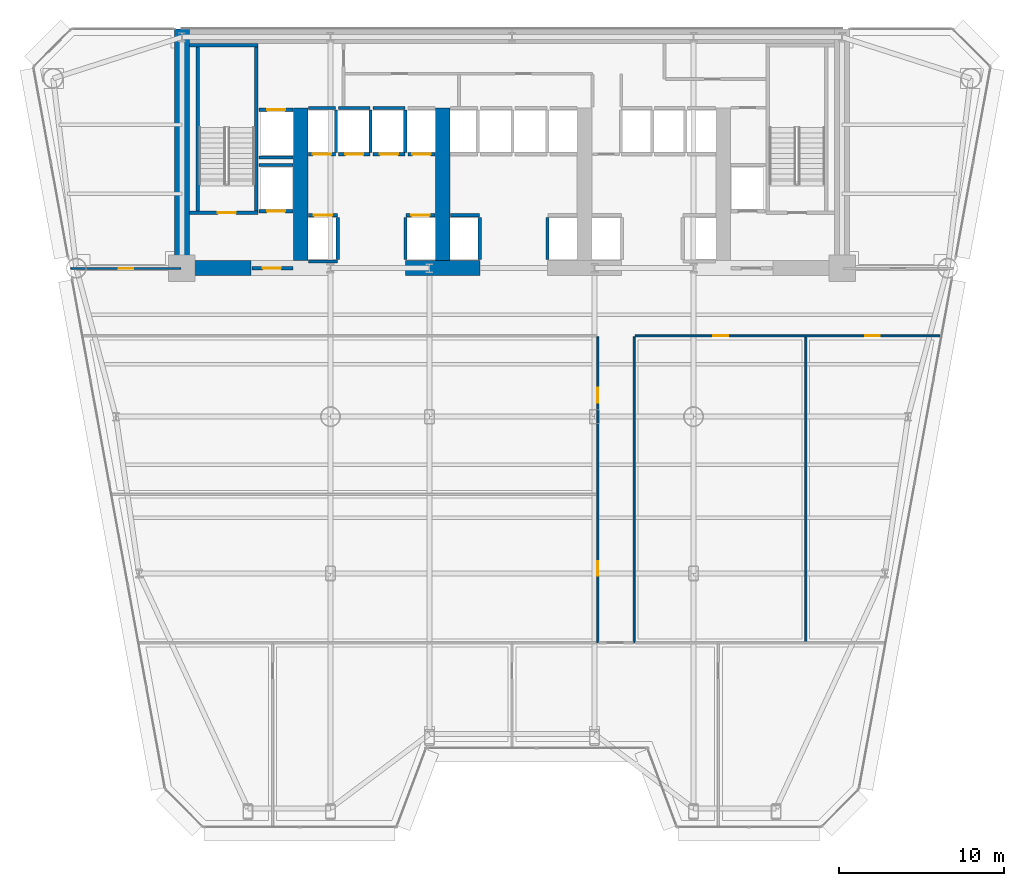
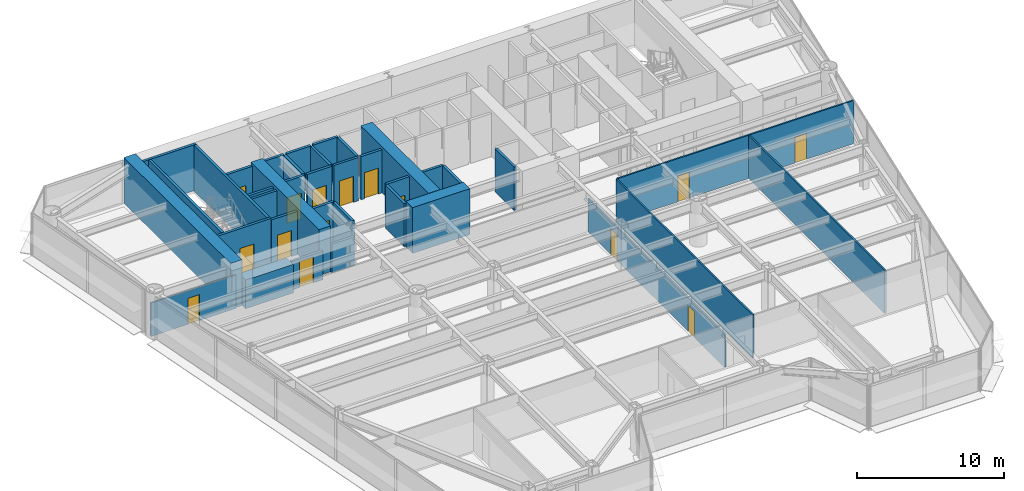
# One storey, part 8 of 14: 37 walls, 15 doors, 15 openings.
"""IFC4 building model written with IfcOpenShell, lengths in metres."""

import ifcopenshell
import ifcopenshell.guid

model = None  # the IFC model being written
_history = None  # IfcOwnerHistory: only IFC2X3 demands one
_inside = {}  # id of a spatial element -> (the spatial element, [elements in it])
_under = {}  # id of a project, library or spatial element -> (it, [spatial elements below it])
_declared = {}  # id of a project -> (the project, [libraries it declares])
_typed = {}  # id of a type object -> (the type object, [elements of that type])
_made_of = {}  # id of a material, layer set ... -> (it, [elements and type objects made of it])


def new_model(schema):
    """Start an empty IFC model of exactly this schema.

    Asked for "IFC4X3", IfcOpenShell would pick the latest addendum, in which some entities
    have other attributes; the version numbers below select the first issue.
    IFC2X3 requires an IfcOwnerHistory on every rooted entity: one is made here for all.
    """
    global model, _history
    if schema == "IFC4X3":
        model = ifcopenshell.file(schema_version=(4, 3, 0, 0))
    else:
        model = ifcopenshell.file(schema=schema)
    _inside.clear()
    _under.clear()
    _declared.clear()
    _typed.clear()
    _made_of.clear()
    _history = None
    if model.schema == "IFC2X3":
        org = make("IfcOrganization", Name="unknown")
        user = make(
            "IfcPersonAndOrganization",
            ThePerson=make("IfcPerson", FamilyName="unknown"),
            TheOrganization=org,
        )
        app = make(
            "IfcApplication",
            ApplicationDeveloper=org,
            Version="unknown",
            ApplicationFullName="unknown",
            ApplicationIdentifier="unknown",
        )
        _history = make(
            "IfcOwnerHistory",
            OwningUser=user,
            OwningApplication=app,
            ChangeAction="ADDED",
            CreationDate=0,
        )
    return model


def make(cls, **values):
    """One entity of the class cls with the attributes given. An attribute that is None is left unset."""
    return model.create_entity(
        cls, **{name: value for name, value in values.items() if value is not None}
    )


def rooted(cls, **values):
    """An entity with a GlobalId (a new one), such as an element, a storey or a relation."""
    return make(cls, GlobalId=ifcopenshell.guid.new(), OwnerHistory=_history, **values)


def si_unit(unit_type, name, prefix=None):
    """IfcSIUnit, for example si_unit("LENGTHUNIT", "METRE", prefix="MILLI")."""
    return make("IfcSIUnit", UnitType=unit_type, Prefix=prefix, Name=name)


def assignment(units):
    """IfcUnitAssignment: the units of a project."""
    return None if units is None else make("IfcUnitAssignment", Units=units)


def point(xyz):
    """IfcCartesianPoint."""
    return None if xyz is None else make("IfcCartesianPoint", Coordinates=xyz)


def direction(xyz):
    """IfcDirection."""
    return None if xyz is None else make("IfcDirection", DirectionRatios=xyz)


def frame(location, z_axis=None, x_axis=None):
    """IfcAxis2Placement3D, a coordinate frame: its origin and axes. An axis left out is left unset."""
    return make(
        "IfcAxis2Placement3D",
        Location=point(location),
        Axis=direction(z_axis),
        RefDirection=direction(x_axis),
    )


def frame_2d(location, x_axis=None):
    """IfcAxis2Placement2D, a coordinate frame in the plane: its origin and x axis."""
    return make(
        "IfcAxis2Placement2D", Location=point(location), RefDirection=direction(x_axis)
    )


def origin():
    """The frame at (0, 0, 0) with its axes left unset."""
    return frame((0.0, 0.0, 0.0))


def place(relative_to, where):
    """IfcLocalPlacement: puts the frame where relative to a parent placement (None: the world)."""
    return make(
        "IfcLocalPlacement", PlacementRelTo=relative_to, RelativePlacement=where
    )


def context(
    kind, dimensions, precision=None, world=None, true_north=None, identifier=None
):
    """IfcGeometricRepresentationContext, for example the 3D "Model" context."""
    return make(
        "IfcGeometricRepresentationContext",
        ContextIdentifier=identifier,
        ContextType=kind,
        CoordinateSpaceDimension=dimensions,
        Precision=precision,
        WorldCoordinateSystem=world,
        TrueNorth=true_north,
    )


def subcontext(parent, identifier, kind, view, scale=None):
    """IfcGeometricRepresentationSubContext, for example "Body" below "Model"."""
    return make(
        "IfcGeometricRepresentationSubContext",
        ContextIdentifier=identifier,
        ContextType=kind,
        ParentContext=parent,
        TargetScale=scale,
        TargetView=view,
    )


def project(units=None, contexts=None):
    """IfcProject with its units and contexts."""
    return rooted(
        "IfcProject",
        Name="project",
        RepresentationContexts=contexts,
        UnitsInContext=assignment(units),
    )


def spatial(cls, under=None, at=None, **own):
    """A site, building, storey or space (cls), placed at a placement, below another one or the project."""
    s = rooted(cls, ObjectPlacement=at, **own)
    if under is not None:
        _under.setdefault(under.id(), (under, []))[1].append(s)
    return s


def profile(cls, at=None, kind="AREA", **sizes):
    """A parametric profile (cls). Its sizes go by their IFC names, for example OverallWidth=200.0."""
    return make(cls, ProfileType=kind, Position=at, **sizes)


def rectangle(**sizes):
    """IfcRectangleProfileDef."""
    return profile("IfcRectangleProfileDef", **sizes)


def extrude(swept, where, along, depth):
    """IfcExtrudedAreaSolid: the profile swept, set in the frame where, extruded along a direction by depth."""
    return make(
        "IfcExtrudedAreaSolid",
        SweptArea=swept,
        Position=where,
        ExtrudedDirection=direction(along),
        Depth=depth,
    )


def shape(context_of_items, identifier, shape_type, items):
    """IfcShapeRepresentation: the items that make up one representation, for example the "Body"."""
    return make(
        "IfcShapeRepresentation",
        ContextOfItems=context_of_items,
        RepresentationIdentifier=identifier,
        RepresentationType=shape_type,
        Items=items,
    )


def source(mapping_origin, context_of_items, identifier, shape_type, items):
    """IfcRepresentationMap: a shape defined once, which mapped items show again and again."""
    return make(
        "IfcRepresentationMap",
        MappingOrigin=mapping_origin,
        MappedRepresentation=shape(context_of_items, identifier, shape_type, items),
    )


def transform(
    local_origin,
    x_axis=None,
    y_axis=None,
    z_axis=None,
    scale=None,
    scale2=None,
    scale3=None,
    uniform=True,
):
    """IfcCartesianTransformationOperator3D, or its non-uniform kind. x_axis, y_axis, z_axis: its Axis1, 2, 3."""
    if uniform:
        return make(
            "IfcCartesianTransformationOperator3D",
            Axis1=direction(x_axis),
            Axis2=direction(y_axis),
            LocalOrigin=point(local_origin),
            Scale=scale,
            Axis3=direction(z_axis),
        )
    return make(
        "IfcCartesianTransformationOperator3DnonUniform",
        Axis1=direction(x_axis),
        Axis2=direction(y_axis),
        LocalOrigin=point(local_origin),
        Scale=scale,
        Axis3=direction(z_axis),
        Scale2=scale2,
        Scale3=scale3,
    )


def mapped(mapping_source, mapping_target):
    """IfcMappedItem: shows the shape of a source again, moved by a transform."""
    return make(
        "IfcMappedItem", MappingSource=mapping_source, MappingTarget=mapping_target
    )


def material(Name=None, Category=None):
    """IfcMaterial."""
    return make("IfcMaterial", Name=Name, Category=Category)


def layer(
    of_material, thickness, ventilated=None, Name=None, Category=None, Priority=None
):
    """IfcMaterialLayer: one layer of a wall or slab, of a material (None: an air gap)."""
    return make(
        "IfcMaterialLayer",
        Material=of_material,
        LayerThickness=thickness,
        IsVentilated=ventilated,
        Name=Name,
        Category=Category,
        Priority=Priority,
    )


def layer_set(layers, Name=None):
    """IfcMaterialLayerSet."""
    return make("IfcMaterialLayerSet", MaterialLayers=layers, LayerSetName=Name)


def made_of(thing, what):
    """Note that an element or type object is made of a material, layer set ...; save() writes the relation."""
    if what is not None:
        _made_of.setdefault(what.id(), (what, []))[1].append(thing)
    return thing


def type_object(cls, material=None, **own):
    """A type object (cls), such as IfcWallType, which elements share."""
    return made_of(rooted(cls, **own), material)


def element(
    cls,
    number,
    at=None,
    inside=None,
    cuts=None,
    type_object=None,
    material=None,
    context=None,
    identifier="Body",
    shape_type=None,
    held_by="IfcProductDefinitionShape",
    body=None,
    shapes=None,
    **own,
):
    """One element of the class cls, such as IfcWall. Its Tag is "e" and its number.

    at: its placement. inside: the storey or other place that contains it. cuts: it is an
    opening in that element (IfcRelVoidsElement). A single representation is given by context,
    identifier, shape_type and body (its items); several are given by shapes. held_by: the class
    of the entity that holds the representations. save() writes the other relations.
    """
    e = rooted(cls, Tag="e%d" % number, ObjectPlacement=at, **own)
    if body is not None:
        shapes = [shape(context, identifier, shape_type, body)]
    if shapes is not None:
        e.Representation = make(held_by, Representations=shapes)
    if inside is not None:
        _inside.setdefault(inside.id(), (inside, []))[1].append(e)
    if cuts is not None:
        rooted(
            "IfcRelVoidsElement", RelatingBuildingElement=cuts, RelatedOpeningElement=e
        )
    if type_object is not None:
        _typed.setdefault(type_object.id(), (type_object, []))[1].append(e)
    return made_of(e, material)


def fill(opening, filler):
    """IfcRelFillsElement: the door or window that sits in an opening."""
    return rooted(
        "IfcRelFillsElement",
        RelatingOpeningElement=opening,
        RelatedBuildingElement=filler,
    )


def aggregate(whole, parts):
    """IfcRelAggregates: a whole, such as a stair, and the parts it consists of."""
    return rooted("IfcRelAggregates", RelatingObject=whole, RelatedObjects=parts)


def save(model, path):
    """Write the relations noted so far, then the file.

    IfcRelAggregates (storeys below a building ...), IfcRelContainedInSpatialStructure (elements
    in a storey), IfcRelDefinesByType, IfcRelAssociatesMaterial and IfcRelDeclares: one each for
    every whole, place, type object, material and project.
    """
    for whole, parts in _under.values():
        aggregate(whole, parts)
    for where, things in _inside.values():
        rooted(
            "IfcRelContainedInSpatialStructure",
            RelatedElements=things,
            RelatingStructure=where,
        )
    for kind, things in _typed.values():
        rooted("IfcRelDefinesByType", RelatedObjects=things, RelatingType=kind)
    for what, things in _made_of.values():
        rooted("IfcRelAssociatesMaterial", RelatedObjects=things, RelatingMaterial=what)
    for by, libraries in _declared.values():
        rooted("IfcRelDeclares", RelatingContext=by, RelatedDefinitions=libraries)
    model.write(path)


model = new_model("IFC4")

# Units and contexts
model_context = context("Model", 3, precision=1e-05, world=origin(), true_north=direction((0.0, 1.0)))
body_context = subcontext(model_context, "Body", "Model", "MODEL_VIEW")
ifc_project = project(units=[si_unit("LENGTHUNIT", "METRE"), si_unit("AREAUNIT", "SQUARE_METRE"), si_unit("VOLUMEUNIT", "CUBIC_METRE"), si_unit("PLANEANGLEUNIT", "RADIAN"), si_unit("MASSUNIT", "GRAM", prefix="KILO")], contexts=[model_context])

# Site, building, storey
site_placement = place(None, origin())
site = spatial("IfcSite", under=ifc_project, at=site_placement, CompositionType="ELEMENT")
building_placement = place(site_placement, origin())
building = spatial("IfcBuilding", under=site, at=building_placement, Name="Vaeldorn Concourse Tower", CompositionType="ELEMENT")
storey_placement = place(building_placement, frame((0.0, 0.0, 60.60009765625)))
storey = spatial("IfcBuildingStorey", under=building, at=storey_placement, Name="L15", CompositionType="ELEMENT", Elevation=60.60009765625)

# Walls
ifc_material_1 = material(Name="Concrete C60/75", Category="concrete")
ifc_layer_1 = layer(ifc_material_1, 0.89990234375)
ifc_layer_set_1 = layer_set([ifc_layer_1], Name="Concrete C60/75")
wall_type_1 = type_object("IfcWallType", Name="WL-CORE-900", PredefinedType="SHEAR", material=ifc_layer_set_1)
wall_1_placement = place(storey_placement, frame((14.0, 36.5, 0.0), z_axis=(0.0, 0.0, 1.0), x_axis=(0.0, 1.0, 0.0)))
element("IfcWall", 1, at=wall_1_placement, inside=storey, type_object=wall_type_1, Name="Rear Core Shear Wall L15 W1", PredefinedType="SHEAR", context=body_context, shape_type="SweptSolid", body=[
    extrude(rectangle(XDim=14.5, YDim=0.89990234375, at=frame_2d((7.25, 0.0))), origin(), (0.0, 0.0, 1.0), 3.7998046875),
])
wall_2_placement = place(storey_placement, frame((14.469970703125, 36.5, 0.0), z_axis=(0.0, 0.0, 1.0), x_axis=(1.0, 0.0, 0.0)))
element("IfcWall", 2, at=wall_2_placement, inside=storey, type_object=wall_type_1, Name="Rear Core Shear Wall L15 S1", PredefinedType="SHEAR", context=body_context, shape_type="SweptSolid", body=[
    extrude(rectangle(XDim=3.72998046875, YDim=0.89990234375, at=frame_2d((1.864990234375, 0.0))), origin(), (0.0, 0.0, 1.0), 2.3798828125),
])
wall_3_placement = place(storey_placement, frame((27.550048828125, 36.5, 0.0), z_axis=(0.0, 0.0, 1.0), x_axis=(1.0, 0.0, 0.0)))
element("IfcWall", 3, at=wall_3_placement, inside=storey, type_object=wall_type_1, Name="Rear Core Shear Wall L15 S2", PredefinedType="SHEAR", context=body_context, shape_type="SweptSolid", body=[
    extrude(rectangle(XDim=4.5, YDim=0.89990234375, at=frame_2d((2.25, 0.0))), origin(), (0.0, 0.0, 1.0), 3.7998046875),
])
for number, where, z_axis, x_axis, name in (
    (4, (21.199951171875, 36.969970703125, 0.0), (0.0, 0.0, 1.0), (0.0, 1.0, 0.0), "Rear Core Shear Wall L15 M1"),
    (5, (29.800048828125, 36.969970703125, 0.0), (0.0, 0.0, 1.0), (0.0, 1.0, 0.0), "Rear Core Shear Wall L15 M2"),
):
    element("IfcWall", number, at=place(storey_placement, frame(where, z_axis=z_axis, x_axis=x_axis)), inside=storey, type_object=wall_type_1, Name=name, PredefinedType="SHEAR", context=body_context, shape_type="SweptSolid", body=[
        extrude(rectangle(XDim=9.22998046875, YDim=0.89990234375, at=frame_2d((4.614990234375, 0.0))), origin(), (0.0, 0.0, 1.0), 3.7998046875),
    ])

# Wall, openings, doors
ifc_material_2 = material(Name="Gypsum Board Partition", Category="gypsum")
ifc_layer_2 = layer(ifc_material_2, 0.1201171875)
ifc_layer_set_2 = layer_set([ifc_layer_2], Name="Gypsum Board Partition")
wall_type_2 = type_object("IfcWallType", Name="WL-PART-120", PredefinedType="PARTITIONING", material=ifc_layer_set_2)
wall_4_placement = place(storey_placement, frame((41.4599609375, 32.39990234375, 0.0), z_axis=(0.0, 0.0, 1.0), x_axis=(1.0, 0.0, 0.0)))
wall_4 = element("IfcWall", 6, at=wall_4_placement, inside=storey, type_object=wall_type_2, Name="Interior Wall PW-L15-C2SE", PredefinedType="PARTITIONING", context=body_context, shape_type="SweptSolid", body=[
    extrude(rectangle(XDim=18.52783203125, YDim=0.1201171875, at=frame_2d((9.263916015625, 0.0))), origin(), (0.0, 0.0, 1.0), 3.579833984375),
])
opening_1_placement = place(wall_4_placement, frame((4.739990234375, 0.0, 0.0)))
opening_1 = element("IfcOpeningElement", 7, at=opening_1_placement, cuts=wall_4, Name="Opening D-03", PredefinedType="OPENING", context=body_context, shape_type="SweptSolid", body=[
    extrude(rectangle(XDim=0.89990234375, YDim=2.14990234375, at=frame_2d((0.449951171875, 1.074951171875))), frame((0.0, 0.070068359375, 0.0), z_axis=(0.0, -1.0, 0.0), x_axis=(1.0, 0.0, 0.0)), (0.0, 0.0, 1.0), 0.14013671875),
])
opening_2_placement = place(wall_4_placement, frame((13.93408203125, 0.0, 0.0)))
opening_2 = element("IfcOpeningElement", 8, at=opening_2_placement, cuts=wall_4, Name="Opening D-03", PredefinedType="OPENING", context=body_context, shape_type="SweptSolid", body=[
    extrude(rectangle(XDim=0.89990234375, YDim=2.14990234375, at=frame_2d((0.449951171875, 1.074951171875))), frame((0.0, 0.070068359375, 0.0), z_axis=(0.0, -1.0, 0.0), x_axis=(1.0, 0.0, 0.0)), (0.0, 0.0, 1.0), 0.14013671875),
])
ifc_material_3 = material(Name="Acoustic Bronze-Framed Glass Door", Category="glass")
door_type_1 = type_object("IfcDoorType", Name="DR-INT-900", OperationType="NOTDEFINED", PredefinedType="DOOR", material=ifc_material_3)
shared_shape_1 = source(origin(), body_context, "Body", "SweptSolid", [
    extrude(rectangle(XDim=0.89990234375, YDim=2.14990234375, at=frame_2d((0.449951171875, 1.074951171875))), frame((0.0, 0.02490234375, 0.0), z_axis=(0.0, -1.0, 0.0), x_axis=(1.0, 0.0, 0.0)), (0.0, 0.0, 1.0), 0.050048828125),
])
door_1_placement = place(opening_1_placement, origin())
door_1 = element("IfcDoor", 9, at=door_1_placement, inside=storey, type_object=door_type_1, Name="Interior Door DR-L15-Z2E1", OperationType="SINGLE_SWING_RIGHT", OverallHeight=2.14990234375, OverallWidth=0.89990234375, PredefinedType="DOOR", context=body_context, shape_type="MappedRepresentation", body=[
    mapped(shared_shape_1, transform((0.0, 0.0, 0.0), scale=1.0)),
])
fill(opening_1, door_1)
door_2_placement = place(opening_2_placement, origin())
door_2 = element("IfcDoor", 10, at=door_2_placement, inside=storey, type_object=door_type_1, Name="Interior Door DR-L15-Z2E2", OperationType="SINGLE_SWING_LEFT", OverallHeight=2.14990234375, OverallWidth=0.89990234375, PredefinedType="DOOR", context=body_context, shape_type="MappedRepresentation", body=[
    mapped(shared_shape_1, transform((0.0, 0.0, 0.0), scale=1.0)),
])
fill(opening_2, door_2)

wall_5_placement = place(storey_placement, frame((39.199951171875, 13.800048828125, 0.0), z_axis=(0.0, 0.0, 1.0), x_axis=(0.0, 1.0, 0.0)))
wall_5 = element("IfcWall", 11, at=wall_5_placement, inside=storey, type_object=wall_type_2, Name="Interior Wall PW-L15-SP2W", PredefinedType="PARTITIONING", context=body_context, shape_type="SweptSolid", body=[
    extrude(rectangle(XDim=18.5400390625, YDim=0.1201171875, at=frame_2d((9.27001953125, 0.0))), origin(), (0.0, 0.0, 1.0), 2.77001953125),
])
opening_3_placement = place(wall_5_placement, frame((4.050048828125, 0.0, 0.0)))
opening_3 = element("IfcOpeningElement", 12, at=opening_3_placement, cuts=wall_5, Name="Opening D-03", PredefinedType="OPENING", context=body_context, shape_type="SweptSolid", body=[
    extrude(rectangle(XDim=0.89990234375, YDim=2.14990234375, at=frame_2d((0.449951171875, 1.074951171875))), frame((0.0, 0.070068359375, 0.0), z_axis=(0.0, -1.0, 0.0), x_axis=(1.0, 0.0, 0.0)), (0.0, 0.0, 1.0), 0.14013671875),
])
opening_4_placement = place(wall_5_placement, frame((14.550048828125, 0.0, 0.0)))
opening_4 = element("IfcOpeningElement", 13, at=opening_4_placement, cuts=wall_5, Name="Opening D-03", PredefinedType="OPENING", context=body_context, shape_type="SweptSolid", body=[
    extrude(rectangle(XDim=0.89990234375, YDim=2.14990234375, at=frame_2d((0.449951171875, 1.074951171875))), frame((0.0, 0.070068359375, 0.0), z_axis=(0.0, -1.0, 0.0), x_axis=(1.0, 0.0, 0.0)), (0.0, 0.0, 1.0), 0.14013671875),
])
door_3_placement = place(opening_3_placement, origin())
door_3 = element("IfcDoor", 14, at=door_3_placement, inside=storey, type_object=door_type_1, Name="Interior Door DR-L15-Z2W1", OperationType="SINGLE_SWING_LEFT", OverallHeight=2.14990234375, OverallWidth=0.89990234375, PredefinedType="DOOR", context=body_context, shape_type="MappedRepresentation", body=[
    mapped(shared_shape_1, transform((0.0, 0.0, 0.0), scale=1.0)),
])
fill(opening_3, door_3)
door_4_placement = place(opening_4_placement, origin())
door_4 = element("IfcDoor", 15, at=door_4_placement, inside=storey, type_object=door_type_1, Name="Interior Door DR-L15-Z2W2", OperationType="SINGLE_SWING_RIGHT", OverallHeight=2.14990234375, OverallWidth=0.89990234375, PredefinedType="DOOR", context=body_context, shape_type="MappedRepresentation", body=[
    mapped(shared_shape_1, transform((0.0, 0.0, 0.0), scale=1.0)),
])
fill(opening_4, door_4)

# Wall
wall_6_placement = place(storey_placement, frame((41.39990234375, 13.800048828125, 0.0), z_axis=(0.0, 0.0, 1.0), x_axis=(0.0, 1.0, 0.0)))
element("IfcWall", 16, at=wall_6_placement, inside=storey, type_object=wall_type_2, Name="Interior Wall PW-L15-SP2E", PredefinedType="PARTITIONING", context=body_context, shape_type="SweptSolid", body=[
    extrude(rectangle(XDim=18.5400390625, YDim=0.1201171875, at=frame_2d((9.27001953125, 0.0))), origin(), (0.0, 0.0, 1.0), 3.579833984375),
])

# Wall, opening, door
wall_7_placement = place(storey_placement, frame((7.273681640625, 36.47998046875, 0.0), z_axis=(0.0, 0.0, 1.0), x_axis=(1.0, 0.0, 0.0)))
wall_7 = element("IfcWall", 17, at=wall_7_placement, inside=storey, type_object=wall_type_2, Name="Interior Wall PW-L15-NWS", PredefinedType="PARTITIONING", context=body_context, shape_type="SweptSolid", body=[
    extrude(rectangle(XDim=6.666259765625, YDim=0.1201171875, at=frame_2d((3.3330078125, 0.0))), origin(), (0.0, 0.0, 1.0), 2.77001953125),
])
opening_5_placement = place(wall_7_placement, frame((2.883056640625, 0.0, 0.0)))
opening_5 = element("IfcOpeningElement", 18, at=opening_5_placement, cuts=wall_7, Name="Opening D-03", PredefinedType="OPENING", context=body_context, shape_type="SweptSolid", body=[
    extrude(rectangle(XDim=0.89990234375, YDim=2.14990234375, at=frame_2d((0.449951171875, 1.074951171875))), frame((0.0, 0.070068359375, 0.0), z_axis=(0.0, -1.0, 0.0), x_axis=(1.0, 0.0, 0.0)), (0.0, 0.0, 1.0), 0.14013671875),
])
door_5_placement = place(opening_5_placement, origin())
door_5 = element("IfcDoor", 19, at=door_5_placement, inside=storey, type_object=door_type_1, Name="Interior Door DR-L15-NWC", OperationType="SINGLE_SWING_LEFT", OverallHeight=2.14990234375, OverallWidth=0.89990234375, PredefinedType="DOOR", context=body_context, shape_type="MappedRepresentation", body=[
    mapped(shared_shape_1, transform((0.0, 0.0, 0.0), scale=1.0)),
])
fill(opening_5, door_5)

# Wall
wall_8_placement = place(storey_placement, frame((51.800048828125, 13.860107421875, 0.0), z_axis=(0.0, 0.0, 1.0), x_axis=(0.0, 1.0, 0.0)))
element("IfcWall", 20, at=wall_8_placement, inside=storey, type_object=wall_type_2, Name="Interior Wall PW-L15-Z2EX1", PredefinedType="PARTITIONING", context=body_context, shape_type="SweptSolid", body=[
    extrude(rectangle(XDim=18.47998046875, YDim=0.1201171875, at=frame_2d((9.239990234375, 0.0))), origin(), (0.0, 0.0, 1.0), 3.579833984375),
])

# Wall, opening, door
ifc_material_4 = material(Name="Concrete C50/60", Category="concrete")
ifc_layer_3 = layer(ifc_material_4, 0.199951171875)
ifc_layer_set_3 = layer_set([ifc_layer_3], Name="Concrete C50/60")
wall_type_3 = type_object("IfcWallType", Name="WL-SHAFT-200", PredefinedType="SOLIDWALL", material=ifc_layer_set_3)
wall_9_placement = place(storey_placement, frame((14.449951171875, 39.85009765625, 0.0), z_axis=(0.0, 0.0, 1.0), x_axis=(1.0, 0.0, 0.0)))
wall_9 = element("IfcWall", 21, at=wall_9_placement, inside=storey, type_object=wall_type_3, Name="Stair Shaft Wall CW-L15-ST-1-S", PredefinedType="SOLIDWALL", context=body_context, shape_type="SweptSolid", body=[
    extrude(rectangle(XDim=4.150146484375, YDim=0.199951171875, at=frame_2d((2.0751953125, 0.0))), origin(), (0.0, 0.0, 1.0), 3.7998046875),
])
opening_6_placement = place(wall_9_placement, frame((1.72509765625, 0.0, 0.0)))
opening_6 = element("IfcOpeningElement", 22, at=opening_6_placement, cuts=wall_9, Name="Opening D-01", PredefinedType="OPENING", context=body_context, shape_type="SweptSolid", body=[
    extrude(rectangle(XDim=1.10009765625, YDim=2.14990234375, at=frame_2d((0.550048828125, 1.074951171875))), frame((0.0, 0.10986328125, 0.0), z_axis=(0.0, -1.0, 0.0), x_axis=(1.0, 0.0, 0.0)), (0.0, 0.0, 1.0), 0.219970703125),
])
ifc_material_5 = material(Name="Fire-Rated Timber and Steel Leaf", Category="steel")
door_type_2 = type_object("IfcDoorType", Name="DR-FD60-1100", OperationType="NOTDEFINED", PredefinedType="DOOR", material=ifc_material_5)
shared_shape_2 = source(origin(), body_context, "Body", "SweptSolid", [
    extrude(rectangle(XDim=1.10009765625, YDim=2.14990234375, at=frame_2d((0.550048828125, 1.074951171875))), frame((0.0, 0.02490234375, 0.0), z_axis=(0.0, -1.0, 0.0), x_axis=(1.0, 0.0, 0.0)), (0.0, 0.0, 1.0), 0.050048828125),
])
door_6_placement = place(opening_6_placement, origin())
door_6 = element("IfcDoor", 23, at=door_6_placement, inside=storey, type_object=door_type_2, Name="Interior Door DR-L15-ST-1", OperationType="SINGLE_SWING_LEFT", OverallHeight=2.14990234375, OverallWidth=1.10009765625, PredefinedType="DOOR", context=body_context, shape_type="MappedRepresentation", body=[
    mapped(shared_shape_2, transform((0.0, 0.0, 0.0), scale=1.0)),
])
fill(opening_6, door_6)

# Walls
wall_10_placement = place(storey_placement, frame((14.449951171875, 50.0, 0.0), z_axis=(0.0, 0.0, 1.0), x_axis=(1.0, 0.0, 0.0)))
element("IfcWall", 24, at=wall_10_placement, inside=storey, type_object=wall_type_3, Name="Stair Shaft Wall CW-L15-ST-1-N", PredefinedType="SOLIDWALL", context=body_context, shape_type="SweptSolid", body=[
    extrude(rectangle(XDim=4.150146484375, YDim=0.199951171875, at=frame_2d((2.0751953125, 0.0))), origin(), (0.0, 0.0, 1.0), 3.7998046875),
])
for number, where, z_axis, x_axis, name in (
    (25, (14.949951171875, 39.9599609375, 0.0), (0.0, 0.0, 1.0), (0.0, 1.0, 0.0), "Stair Shaft Wall CW-L15-ST-1-W"),
    (26, (18.5, 39.9599609375, 0.0), (0.0, 0.0, 1.0), (0.0, 1.0, 0.0), "Stair Shaft Wall CW-L15-ST-1-E"),
):
    element("IfcWall", number, at=place(storey_placement, frame(where, z_axis=z_axis, x_axis=x_axis)), inside=storey, type_object=wall_type_3, Name=name, PredefinedType="SOLIDWALL", context=body_context, shape_type="SweptSolid", body=[
        extrude(rectangle(XDim=9.929931640625, YDim=0.199951171875, at=frame_2d((4.96484375, 0.0))), origin(), (0.0, 0.0, 1.0), 3.7998046875),
    ])

# Wall, opening, door
wall_11_placement = place(storey_placement, frame((18.25, 36.5, 0.0), z_axis=(0.0, 0.0, 1.0), x_axis=(1.0, 0.0, 0.0)))
wall_11 = element("IfcWall", 27, at=wall_11_placement, inside=storey, type_object=wall_type_3, Name="Interior Wall CW-L15-FF1S", PredefinedType="SOLIDWALL", context=body_context, shape_type="SweptSolid", body=[
    extrude(rectangle(XDim=2.469970703125, YDim=0.199951171875, at=frame_2d((1.23486328125, 0.0))), origin(), (0.0, 0.0, 1.0), 2.369873046875),
])
opening_7_placement = place(wall_11_placement, frame((0.64990234375, 0.0, 0.0)))
opening_7 = element("IfcOpeningElement", 28, at=opening_7_placement, cuts=wall_11, Name="Opening D-01", PredefinedType="OPENING", context=body_context, shape_type="SweptSolid", body=[
    extrude(rectangle(XDim=1.10009765625, YDim=2.14990234375, at=frame_2d((0.550048828125, 1.074951171875))), frame((0.0, 0.10986328125, 0.0), z_axis=(0.0, -1.0, 0.0), x_axis=(1.0, 0.0, 0.0)), (0.0, 0.0, 1.0), 0.219970703125),
])
door_7_placement = place(opening_7_placement, origin())
door_7 = element("IfcDoor", 29, at=door_7_placement, inside=storey, type_object=door_type_2, Name="Interior Door DR-L15-FF1E", OperationType="SINGLE_SWING_RIGHT", OverallHeight=2.14990234375, OverallWidth=1.10009765625, PredefinedType="DOOR", context=body_context, shape_type="MappedRepresentation", body=[
    mapped(shared_shape_2, transform((0.0, 0.0, 0.0), scale=1.0)),
])
fill(opening_7, door_7)

wall_12_placement = place(storey_placement, frame((21.659912109375, 39.699951171875, 0.0), z_axis=(0.0, 0.0, 1.0), x_axis=(1.0, 0.0, 0.0)))
wall_12 = element("IfcWall", 30, at=wall_12_placement, inside=storey, type_object=wall_type_3, Name="Interior Wall CW-L15-LF-LF-01", PredefinedType="SOLIDWALL", context=body_context, shape_type="SweptSolid", body=[
    extrude(rectangle(XDim=1.77001953125, YDim=0.199951171875, at=frame_2d((0.885009765625, 0.0))), origin(), (0.0, 0.0, 1.0), 3.579833984375),
])
opening_8_placement = place(wall_12_placement, frame((0.3349609375, 0.0, 0.0)))
opening_8 = element("IfcOpeningElement", 31, at=opening_8_placement, cuts=wall_12, Name="Opening LD-1", PredefinedType="OPENING", context=body_context, shape_type="SweptSolid", body=[
    extrude(rectangle(XDim=1.10009765625, YDim=2.14990234375, at=frame_2d((0.550048828125, 1.074951171875))), frame((0.0, 0.10986328125, 0.0), z_axis=(0.0, -1.0, 0.0), x_axis=(1.0, 0.0, 0.0)), (0.0, 0.0, 1.0), 0.219970703125),
])
ifc_material_6 = material(Name="Anodised Bronze Aluminium", Category="aluminium")
door_type_3 = type_object("IfcDoorType", Name="DR-LIFT-SLIDE-1100", OperationType="DOUBLE_DOOR_SLIDING", PredefinedType="DOOR", material=ifc_material_6)
door_8_placement = place(opening_8_placement, origin())
door_8 = element("IfcDoor", 32, at=door_8_placement, inside=storey, type_object=door_type_3, Name="Lift Landing Door LD-L15-LF-01", OperationType="DOUBLE_DOOR_SLIDING", OverallHeight=2.14990234375, OverallWidth=1.10009765625, PredefinedType="DOOR", context=body_context, shape_type="MappedRepresentation", body=[
    mapped(shared_shape_2, transform((0.0, 0.0, 0.0), scale=1.0)),
])
fill(opening_8, door_8)

# Walls
wall_13_placement = place(storey_placement, frame((21.659912109375, 36.89990234375, 0.0), z_axis=(0.0, 0.0, 1.0), x_axis=(1.0, 0.0, 0.0)))
element("IfcWall", 33, at=wall_13_placement, inside=storey, type_object=wall_type_3, Name="Interior Wall CW-L15-LFB-LF-01", PredefinedType="SOLIDWALL", context=body_context, shape_type="SweptSolid", body=[
    extrude(rectangle(XDim=1.77001953125, YDim=0.199951171875, at=frame_2d((0.885009765625, 0.0))), origin(), (0.0, 0.0, 1.0), 2.369873046875),
])
wall_14_placement = place(storey_placement, frame((23.449951171875, 37.02001953125, 0.0), z_axis=(0.0, 0.0, 1.0), x_axis=(0.0, 1.0, 0.0)))
element("IfcWall", 34, at=wall_14_placement, inside=storey, type_object=wall_type_3, Name="Interior Wall CW-L15-LFE-LF-01", PredefinedType="SOLIDWALL", context=body_context, shape_type="SweptSolid", body=[
    extrude(rectangle(XDim=2.56005859375, YDim=0.199951171875, at=frame_2d((1.280029296875, 0.0))), origin(), (0.0, 0.0, 1.0), 3.579833984375),
])

# Wall, opening, door
wall_15_placement = place(storey_placement, frame((27.570068359375, 39.699951171875, 0.0), z_axis=(0.0, 0.0, 1.0), x_axis=(1.0, 0.0, 0.0)))
wall_15 = element("IfcWall", 35, at=wall_15_placement, inside=storey, type_object=wall_type_3, Name="Interior Wall CW-L15-LF-LF-02", PredefinedType="SOLIDWALL", context=body_context, shape_type="SweptSolid", body=[
    extrude(rectangle(XDim=1.77001953125, YDim=0.199951171875, at=frame_2d((0.885009765625, 0.0))), origin(), (0.0, 0.0, 1.0), 3.579833984375),
])
opening_9_placement = place(wall_15_placement, frame((0.3349609375, 0.0, 0.0)))
opening_9 = element("IfcOpeningElement", 36, at=opening_9_placement, cuts=wall_15, Name="Opening LD-1", PredefinedType="OPENING", context=body_context, shape_type="SweptSolid", body=[
    extrude(rectangle(XDim=1.10009765625, YDim=2.14990234375, at=frame_2d((0.550048828125, 1.074951171875))), frame((0.0, 0.10986328125, 0.0), z_axis=(0.0, -1.0, 0.0), x_axis=(1.0, 0.0, 0.0)), (0.0, 0.0, 1.0), 0.219970703125),
])
door_9_placement = place(opening_9_placement, origin())
door_9 = element("IfcDoor", 37, at=door_9_placement, inside=storey, type_object=door_type_3, Name="Lift Landing Door LD-L15-LF-02", OperationType="DOUBLE_DOOR_SLIDING", OverallHeight=2.14990234375, OverallWidth=1.10009765625, PredefinedType="DOOR", context=body_context, shape_type="MappedRepresentation", body=[
    mapped(shared_shape_2, transform((0.0, 0.0, 0.0), scale=1.0)),
])
fill(opening_9, door_9)

# Wall
wall_16_placement = place(storey_placement, frame((27.550048828125, 37.02001953125, 0.0), z_axis=(0.0, 0.0, 1.0), x_axis=(0.0, 1.0, 0.0)))
element("IfcWall", 38, at=wall_16_placement, inside=storey, type_object=wall_type_3, Name="Interior Wall CW-L15-LFW-LF-02", PredefinedType="SOLIDWALL", context=body_context, shape_type="SweptSolid", body=[
    extrude(rectangle(XDim=2.56005859375, YDim=0.199951171875, at=frame_2d((1.280029296875, 0.0))), origin(), (0.0, 0.0, 1.0), 3.579833984375),
])

# Wall, opening, door
wall_17_placement = place(storey_placement, frame((21.659912109375, 43.39990234375, 0.0), z_axis=(0.0, 0.0, 1.0), x_axis=(1.0, 0.0, 0.0)))
wall_17 = element("IfcWall", 39, at=wall_17_placement, inside=storey, type_object=wall_type_3, Name="Interior Wall CW-L15-LF-LF-03", PredefinedType="SOLIDWALL", context=body_context, shape_type="SweptSolid", body=[
    extrude(rectangle(XDim=1.650146484375, YDim=0.199951171875, at=frame_2d((0.8251953125, 0.0))), origin(), (0.0, 0.0, 1.0), 3.579833984375),
])
opening_10_placement = place(wall_17_placement, frame((0.27490234375, 0.0, 0.0)))
opening_10 = element("IfcOpeningElement", 40, at=opening_10_placement, cuts=wall_17, Name="Opening LD-1", PredefinedType="OPENING", context=body_context, shape_type="SweptSolid", body=[
    extrude(rectangle(XDim=1.10009765625, YDim=2.14990234375, at=frame_2d((0.550048828125, 1.074951171875))), frame((0.0, 0.10986328125, 0.0), z_axis=(0.0, -1.0, 0.0), x_axis=(1.0, 0.0, 0.0)), (0.0, 0.0, 1.0), 0.219970703125),
])
door_10_placement = place(opening_10_placement, origin())
door_10 = element("IfcDoor", 41, at=door_10_placement, inside=storey, type_object=door_type_3, Name="Lift Landing Door LD-L15-LF-03", OperationType="DOUBLE_DOOR_SLIDING", OverallHeight=2.14990234375, OverallWidth=1.10009765625, PredefinedType="DOOR", context=body_context, shape_type="MappedRepresentation", body=[
    mapped(shared_shape_2, transform((0.0, 0.0, 0.0), scale=1.0)),
])
fill(opening_10, door_10)

# Walls
wall_18_placement = place(storey_placement, frame((21.659912109375, 46.199951171875, 0.0), z_axis=(0.0, 0.0, 1.0), x_axis=(1.0, 0.0, 0.0)))
element("IfcWall", 42, at=wall_18_placement, inside=storey, type_object=wall_type_3, Name="Interior Wall CW-L15-LFB-LF-03", PredefinedType="SOLIDWALL", context=body_context, shape_type="SweptSolid", body=[
    extrude(rectangle(XDim=1.650146484375, YDim=0.199951171875, at=frame_2d((0.8251953125, 0.0))), origin(), (0.0, 0.0, 1.0), 3.579833984375),
])
wall_19_placement = place(storey_placement, frame((23.330078125, 43.52001953125, 0.0), z_axis=(0.0, 0.0, 1.0), x_axis=(0.0, 1.0, 0.0)))
element("IfcWall", 43, at=wall_19_placement, inside=storey, type_object=wall_type_3, Name="Interior Wall CW-L15-LFE-LF-03", PredefinedType="SOLIDWALL", context=body_context, shape_type="SweptSolid", body=[
    extrude(rectangle(XDim=2.56005859375, YDim=0.199951171875, at=frame_2d((1.280029296875, 0.0))), origin(), (0.0, 0.0, 1.0), 3.579833984375),
])

# Wall, opening, door
wall_20_placement = place(storey_placement, frame((23.489990234375, 43.39990234375, 0.0), z_axis=(0.0, 0.0, 1.0), x_axis=(1.0, 0.0, 0.0)))
wall_20 = element("IfcWall", 44, at=wall_20_placement, inside=storey, type_object=wall_type_3, Name="Interior Wall CW-L15-LF-LF-04", PredefinedType="SOLIDWALL", context=body_context, shape_type="SweptSolid", body=[
    extrude(rectangle(XDim=1.919921875, YDim=0.199951171875, at=frame_2d((0.9599609375, 0.0))), origin(), (0.0, 0.0, 1.0), 3.579833984375),
])
opening_11_placement = place(wall_20_placement, frame((0.409912109375, 0.0, 0.0)))
opening_11 = element("IfcOpeningElement", 45, at=opening_11_placement, cuts=wall_20, Name="Opening LD-1", PredefinedType="OPENING", context=body_context, shape_type="SweptSolid", body=[
    extrude(rectangle(XDim=1.10009765625, YDim=2.14990234375, at=frame_2d((0.550048828125, 1.074951171875))), frame((0.0, 0.10986328125, 0.0), z_axis=(0.0, -1.0, 0.0), x_axis=(1.0, 0.0, 0.0)), (0.0, 0.0, 1.0), 0.219970703125),
])
door_11_placement = place(opening_11_placement, origin())
door_11 = element("IfcDoor", 46, at=door_11_placement, inside=storey, type_object=door_type_3, Name="Lift Landing Door LD-L15-LF-04", OperationType="DOUBLE_DOOR_SLIDING", OverallHeight=2.14990234375, OverallWidth=1.10009765625, PredefinedType="DOOR", context=body_context, shape_type="MappedRepresentation", body=[
    mapped(shared_shape_2, transform((0.0, 0.0, 0.0), scale=1.0)),
])
fill(opening_11, door_11)

# Walls
wall_21_placement = place(storey_placement, frame((23.489990234375, 46.199951171875, 0.0), z_axis=(0.0, 0.0, 1.0), x_axis=(1.0, 0.0, 0.0)))
element("IfcWall", 47, at=wall_21_placement, inside=storey, type_object=wall_type_3, Name="Interior Wall CW-L15-LFB-LF-04", PredefinedType="SOLIDWALL", context=body_context, shape_type="SweptSolid", body=[
    extrude(rectangle(XDim=1.919921875, YDim=0.199951171875, at=frame_2d((0.9599609375, 0.0))), origin(), (0.0, 0.0, 1.0), 3.579833984375),
])
wall_22_placement = place(storey_placement, frame((25.429931640625, 43.52001953125, 0.0), z_axis=(0.0, 0.0, 1.0), x_axis=(0.0, 1.0, 0.0)))
element("IfcWall", 48, at=wall_22_placement, inside=storey, type_object=wall_type_3, Name="Interior Wall CW-L15-LFE-LF-04", PredefinedType="SOLIDWALL", context=body_context, shape_type="SweptSolid", body=[
    extrude(rectangle(XDim=2.56005859375, YDim=0.199951171875, at=frame_2d((1.280029296875, 0.0))), origin(), (0.0, 0.0, 1.0), 3.579833984375),
])

# Wall, opening, door
wall_23_placement = place(storey_placement, frame((25.590087890625, 43.39990234375, 0.0), z_axis=(0.0, 0.0, 1.0), x_axis=(1.0, 0.0, 0.0)))
wall_23 = element("IfcWall", 49, at=wall_23_placement, inside=storey, type_object=wall_type_3, Name="Interior Wall CW-L15-LF-LF-05", PredefinedType="SOLIDWALL", context=body_context, shape_type="SweptSolid", body=[
    extrude(rectangle(XDim=1.919921875, YDim=0.199951171875, at=frame_2d((0.9599609375, 0.0))), origin(), (0.0, 0.0, 1.0), 3.579833984375),
])
opening_12_placement = place(wall_23_placement, frame((0.409912109375, 0.0, 0.0)))
opening_12 = element("IfcOpeningElement", 50, at=opening_12_placement, cuts=wall_23, Name="Opening LD-1", PredefinedType="OPENING", context=body_context, shape_type="SweptSolid", body=[
    extrude(rectangle(XDim=1.10009765625, YDim=2.14990234375, at=frame_2d((0.550048828125, 1.074951171875))), frame((0.0, 0.10986328125, 0.0), z_axis=(0.0, -1.0, 0.0), x_axis=(1.0, 0.0, 0.0)), (0.0, 0.0, 1.0), 0.219970703125),
])
door_12_placement = place(opening_12_placement, origin())
door_12 = element("IfcDoor", 51, at=door_12_placement, inside=storey, type_object=door_type_3, Name="Lift Landing Door LD-L15-LF-05", OperationType="DOUBLE_DOOR_SLIDING", OverallHeight=2.14990234375, OverallWidth=1.10009765625, PredefinedType="DOOR", context=body_context, shape_type="MappedRepresentation", body=[
    mapped(shared_shape_2, transform((0.0, 0.0, 0.0), scale=1.0)),
])
fill(opening_12, door_12)

# Walls
wall_24_placement = place(storey_placement, frame((25.590087890625, 46.199951171875, 0.0), z_axis=(0.0, 0.0, 1.0), x_axis=(1.0, 0.0, 0.0)))
element("IfcWall", 52, at=wall_24_placement, inside=storey, type_object=wall_type_3, Name="Interior Wall CW-L15-LFB-LF-05", PredefinedType="SOLIDWALL", context=body_context, shape_type="SweptSolid", body=[
    extrude(rectangle(XDim=1.919921875, YDim=0.199951171875, at=frame_2d((0.9599609375, 0.0))), origin(), (0.0, 0.0, 1.0), 3.579833984375),
])
wall_25_placement = place(storey_placement, frame((27.530029296875, 43.52001953125, 0.0), z_axis=(0.0, 0.0, 1.0), x_axis=(0.0, 1.0, 0.0)))
element("IfcWall", 53, at=wall_25_placement, inside=storey, type_object=wall_type_3, Name="Interior Wall CW-L15-LFE-LF-05", PredefinedType="SOLIDWALL", context=body_context, shape_type="SweptSolid", body=[
    extrude(rectangle(XDim=2.56005859375, YDim=0.199951171875, at=frame_2d((1.280029296875, 0.0))), origin(), (0.0, 0.0, 1.0), 3.579833984375),
])

# Wall, opening, door
wall_26_placement = place(storey_placement, frame((27.68994140625, 43.39990234375, 0.0), z_axis=(0.0, 0.0, 1.0), x_axis=(1.0, 0.0, 0.0)))
wall_26 = element("IfcWall", 54, at=wall_26_placement, inside=storey, type_object=wall_type_3, Name="Interior Wall CW-L15-LF-LF-06", PredefinedType="SOLIDWALL", context=body_context, shape_type="SweptSolid", body=[
    extrude(rectangle(XDim=1.650146484375, YDim=0.199951171875, at=frame_2d((0.8251953125, 0.0))), origin(), (0.0, 0.0, 1.0), 3.579833984375),
])
opening_13_placement = place(wall_26_placement, frame((0.27490234375, 0.0, 0.0)))
opening_13 = element("IfcOpeningElement", 55, at=opening_13_placement, cuts=wall_26, Name="Opening LD-1", PredefinedType="OPENING", context=body_context, shape_type="SweptSolid", body=[
    extrude(rectangle(XDim=1.10009765625, YDim=2.14990234375, at=frame_2d((0.550048828125, 1.074951171875))), frame((0.0, 0.10986328125, 0.0), z_axis=(0.0, -1.0, 0.0), x_axis=(1.0, 0.0, 0.0)), (0.0, 0.0, 1.0), 0.219970703125),
])
door_13_placement = place(opening_13_placement, origin())
door_13 = element("IfcDoor", 56, at=door_13_placement, inside=storey, type_object=door_type_3, Name="Lift Landing Door LD-L15-LF-06", OperationType="DOUBLE_DOOR_SLIDING", OverallHeight=2.14990234375, OverallWidth=1.10009765625, PredefinedType="DOOR", context=body_context, shape_type="MappedRepresentation", body=[
    mapped(shared_shape_2, transform((0.0, 0.0, 0.0), scale=1.0)),
])
fill(opening_13, door_13)

# Walls
wall_27_placement = place(storey_placement, frame((30.260009765625, 39.699951171875, 0.0), z_axis=(0.0, 0.0, 1.0), x_axis=(1.0, 0.0, 0.0)))
element("IfcWall", 57, at=wall_27_placement, inside=storey, type_object=wall_type_3, Name="Interior Wall CW-L15-LF-LF-07", PredefinedType="SOLIDWALL", context=body_context, shape_type="SweptSolid", body=[
    extrude(rectangle(XDim=1.77001953125, YDim=0.199951171875, at=frame_2d((0.885009765625, 0.0))), origin(), (0.0, 0.0, 1.0), 3.579833984375),
])
for number, where, z_axis, x_axis, name in (
    (58, (32.050048828125, 37.02001953125, 0.0), (0.0, 0.0, 1.0), (0.0, 1.0, 0.0), "Interior Wall CW-L15-LFE-LF-07"),
    (59, (36.14990234375, 37.02001953125, 0.0), (0.0, 0.0, 1.0), (0.0, 1.0, 0.0), "Interior Wall CW-L15-LFW-LF-08"),
):
    element("IfcWall", number, at=place(storey_placement, frame(where, z_axis=z_axis, x_axis=x_axis)), inside=storey, type_object=wall_type_3, Name=name, PredefinedType="SOLIDWALL", context=body_context, shape_type="SweptSolid", body=[
        extrude(rectangle(XDim=2.56005859375, YDim=0.199951171875, at=frame_2d((1.280029296875, 0.0))), origin(), (0.0, 0.0, 1.0), 3.579833984375),
    ])

# Wall, opening, door
wall_28_placement = place(storey_placement, frame((18.669921875, 46.10009765625, 0.0), z_axis=(0.0, 0.0, 1.0), x_axis=(1.0, 0.0, 0.0)))
wall_28 = element("IfcWall", 60, at=wall_28_placement, inside=storey, type_object=wall_type_3, Name="Interior Wall CW-L15-LF-LF-SV1", PredefinedType="SOLIDWALL", context=body_context, shape_type="SweptSolid", body=[
    extrude(rectangle(XDim=2.070068359375, YDim=0.199951171875, at=frame_2d((1.03515625, 0.0))), origin(), (0.0, 0.0, 1.0), 3.579833984375),
])
opening_14_placement = place(wall_28_placement, frame((0.485107421875, 0.0, 0.0)))
opening_14 = element("IfcOpeningElement", 61, at=opening_14_placement, cuts=wall_28, Name="Opening LD-1", PredefinedType="OPENING", context=body_context, shape_type="SweptSolid", body=[
    extrude(rectangle(XDim=1.10009765625, YDim=2.14990234375, at=frame_2d((0.550048828125, 1.074951171875))), frame((0.0, 0.10986328125, 0.0), z_axis=(0.0, -1.0, 0.0), x_axis=(1.0, 0.0, 0.0)), (0.0, 0.0, 1.0), 0.219970703125),
])
door_14_placement = place(opening_14_placement, origin())
door_14 = element("IfcDoor", 62, at=door_14_placement, inside=storey, type_object=door_type_3, Name="Lift Landing Door LD-L15-LF-SV1", OperationType="DOUBLE_DOOR_SLIDING", OverallHeight=2.14990234375, OverallWidth=1.10009765625, PredefinedType="DOOR", context=body_context, shape_type="MappedRepresentation", body=[
    mapped(shared_shape_2, transform((0.0, 0.0, 0.0), scale=1.0)),
])
fill(opening_14, door_14)

# Wall
wall_29_placement = place(storey_placement, frame((18.669921875, 43.199951171875, 0.0), z_axis=(0.0, 0.0, 1.0), x_axis=(1.0, 0.0, 0.0)))
element("IfcWall", 63, at=wall_29_placement, inside=storey, type_object=wall_type_3, Name="Interior Wall CW-L15-LFB-LF-SV1", PredefinedType="SOLIDWALL", context=body_context, shape_type="SweptSolid", body=[
    extrude(rectangle(XDim=2.070068359375, YDim=0.199951171875, at=frame_2d((1.03515625, 0.0))), origin(), (0.0, 0.0, 1.0), 3.579833984375),
])

# Wall, opening, door
wall_30_placement = place(storey_placement, frame((18.669921875, 39.949951171875, 0.0), z_axis=(0.0, 0.0, 1.0), x_axis=(1.0, 0.0, 0.0)))
wall_30 = element("IfcWall", 64, at=wall_30_placement, inside=storey, type_object=wall_type_3, Name="Interior Wall CW-L15-LF-LF-FF1", PredefinedType="SOLIDWALL", context=body_context, shape_type="SweptSolid", body=[
    extrude(rectangle(XDim=2.070068359375, YDim=0.199951171875, at=frame_2d((1.03515625, 0.0))), origin(), (0.0, 0.0, 1.0), 3.579833984375),
])
opening_15_placement = place(wall_30_placement, frame((0.485107421875, 0.0, 0.0)))
opening_15 = element("IfcOpeningElement", 65, at=opening_15_placement, cuts=wall_30, Name="Opening LD-1", PredefinedType="OPENING", context=body_context, shape_type="SweptSolid", body=[
    extrude(rectangle(XDim=1.10009765625, YDim=2.14990234375, at=frame_2d((0.550048828125, 1.074951171875))), frame((0.0, 0.10986328125, 0.0), z_axis=(0.0, -1.0, 0.0), x_axis=(1.0, 0.0, 0.0)), (0.0, 0.0, 1.0), 0.219970703125),
])
door_15_placement = place(opening_15_placement, origin())
door_15 = element("IfcDoor", 66, at=door_15_placement, inside=storey, type_object=door_type_3, Name="Lift Landing Door LD-L15-LF-FF1", OperationType="DOUBLE_DOOR_SLIDING", OverallHeight=2.14990234375, OverallWidth=1.10009765625, PredefinedType="DOOR", context=body_context, shape_type="MappedRepresentation", body=[
    mapped(shared_shape_2, transform((0.0, 0.0, 0.0), scale=1.0)),
])
fill(opening_15, door_15)

# Wall
wall_31_placement = place(storey_placement, frame((18.669921875, 42.75, 0.0), z_axis=(0.0, 0.0, 1.0), x_axis=(1.0, 0.0, 0.0)))
element("IfcWall", 67, at=wall_31_placement, inside=storey, type_object=wall_type_3, Name="Interior Wall CW-L15-LFB-LF-FF1", PredefinedType="SOLIDWALL", context=body_context, shape_type="SweptSolid", body=[
    extrude(rectangle(XDim=2.070068359375, YDim=0.199951171875, at=frame_2d((1.03515625, 0.0))), origin(), (0.0, 0.0, 1.0), 3.579833984375),
])

save(model, "model.ifc")
